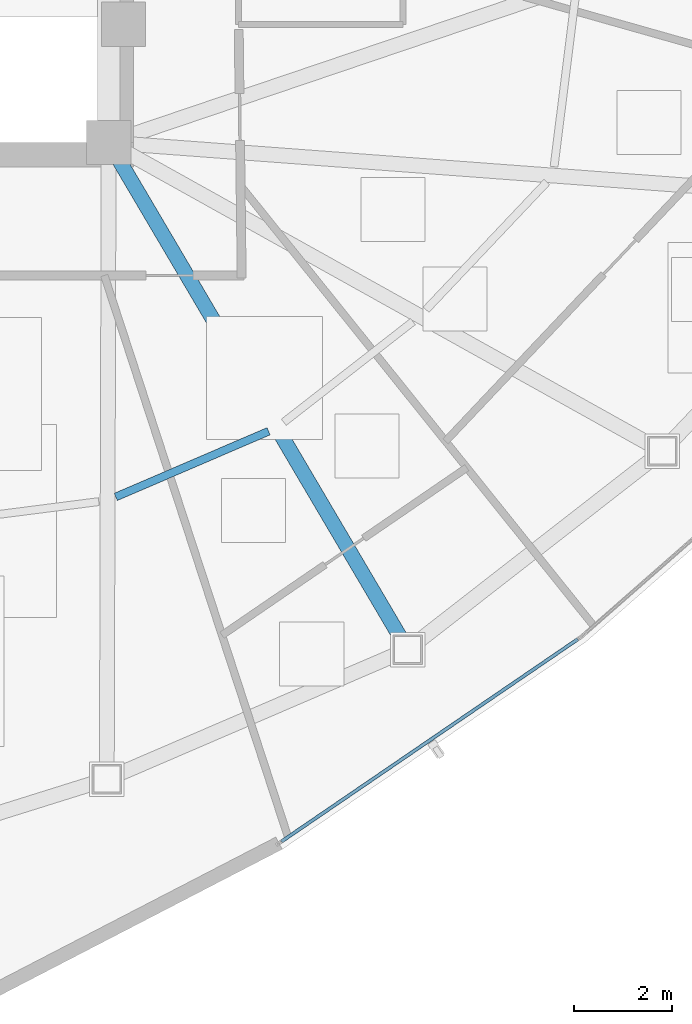
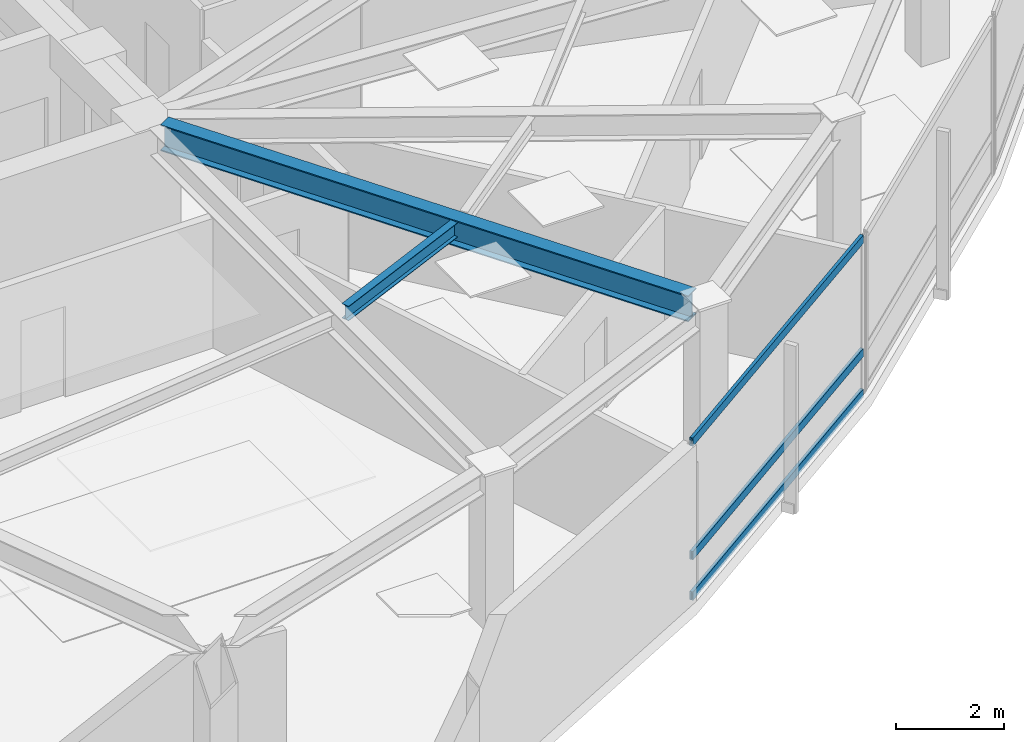
# One storey, part 3 of 17: 3 members, 2 beams, 1 element without a shape of its own.
"""IFC4 building model written with IfcOpenShell, lengths in metres."""

from ifc_helpers import new_model, si_unit, direction, frame, origin, origin_2d, place, context, subcontext, project, spatial, hollow_rectangle, i_section, extrude, source, transform, mapped, material, layer, layer_set, material_profile, profile_set, type_object, type_shapes, element, aggregate, save


model = new_model("IFC4")

# Units and contexts
model_context = context("Model", 3, precision=1e-05, world=origin(), true_north=direction((0.0, 1.0)))
body_context = subcontext(model_context, "Body", "Model", "MODEL_VIEW")
ifc_project = project(units=[si_unit("LENGTHUNIT", "METRE"), si_unit("AREAUNIT", "SQUARE_METRE"), si_unit("VOLUMEUNIT", "CUBIC_METRE"), si_unit("PLANEANGLEUNIT", "RADIAN"), si_unit("MASSUNIT", "GRAM", prefix="KILO")], contexts=[model_context])

# Site, building, storey
site_placement = place(None, origin())
site = spatial("IfcSite", under=ifc_project, at=site_placement, CompositionType="ELEMENT")
building_placement = place(site_placement, origin())
building = spatial("IfcBuilding", under=site, at=building_placement, Name="Tavelor Broadcast Tower", CompositionType="ELEMENT")
storey_placement = place(building_placement, frame((0.0, 0.0, 192.60009765625)))
storey = spatial("IfcBuildingStorey", under=building, at=storey_placement, Name="L46", CompositionType="ELEMENT", Elevation=192.60009765625)

# Beams
ifc_material_1 = material(Name="Steel S355", Category="steel")
ifc_material_profile_1 = material_profile(ifc_material_1, i_section(OverallWidth=0.159912109375, OverallDepth=0.330078125, WebThickness=0.007568359375, FlangeThickness=0.011474609375, at=origin_2d()), Name="IPE 330")
ifc_profile_set_1 = profile_set([ifc_material_profile_1], Name="Steel S355")
beam_type_1 = type_object("IfcBeamType", Name="Composite Floor Joist T4 IPE 330", PredefinedType="JOIST", material=ifc_profile_set_1)
beam_1_placement = place(storey_placement, frame((56.744384765625, 31.603515625, 3.385009765625), z_axis=(0.918692008618, 0.394974674254, 0.0), x_axis=(-0.394974674254, 0.918692008618, 0.0)))
element("IfcBeam", 1, at=beam_1_placement, inside=storey, type_object=beam_type_1, Name="L46 Secondary Composite Floor Joist 09", PredefinedType="JOIST", context=body_context, shape_type="SweptSolid", body=[
    extrude(i_section(OverallWidth=0.159912109375, OverallDepth=0.330078125, WebThickness=0.007568359375, FlangeThickness=0.011474609375, at=origin_2d()), origin(), (0.0, 0.0, 1.0), 3.37744140625),
])
ifc_material_profile_2 = material_profile(ifc_material_1, i_section(OverallWidth=0.300048828125, OverallDepth=0.590087890625, WebThickness=0.012939453125, FlangeThickness=0.02490234375, at=origin_2d()), Name="HEA 600")
ifc_profile_set_2 = profile_set([ifc_material_profile_2], Name="Steel S355")
beam_type_2 = type_object("IfcBeamType", Name="Radial Floor Girder T4 HEA 600", PredefinedType="BEAM", material=ifc_profile_set_2)
beam_2_placement = place(storey_placement, frame((56.8193359375, 38.427734375, 3.2548828125), z_axis=(0.50778362975, -0.861484640233, 0.0), x_axis=(0.861484640233, 0.50778362975, 0.0)))
element("IfcBeam", 2, at=beam_2_placement, inside=storey, type_object=beam_type_2, Name="L46 Radial Primary Floor Girder 10", PredefinedType="BEAM", context=body_context, shape_type="SweptSolid", body=[
    extrude(i_section(OverallWidth=0.300048828125, OverallDepth=0.590087890625, WebThickness=0.012939453125, FlangeThickness=0.02490234375, at=origin_2d()), origin(), (0.0, 0.0, 1.0), 11.232421875),
])

# Curtain wall, members
ifc_material_2 = material(Name="Architectural Anodized Aluminium", Category="aluminium")
ifc_layer = layer(ifc_material_2, 0.18994140625)
ifc_layer_set = layer_set([ifc_layer], Name="Architectural Anodized Aluminium")
curtain_wall_type = type_object("IfcCurtainWallType", Name="Tower Mid-Zone Acoustic Curtain Wall CW03", PredefinedType="NOTDEFINED", material=ifc_layer_set)
curtain_wall_placement = place(storey_placement, origin())
curtain_wall = element("IfcCurtainWall", 3, at=curtain_wall_placement, inside=storey, type_object=curtain_wall_type, Name="L46 Curtain Wall CW03 Run 497", PredefinedType="NOTDEFINED")
ifc_material_profile_3 = material_profile(ifc_material_2, hollow_rectangle(XDim=0.068115234375, YDim=0.18994140625, WallThickness=0.02197265625, at=origin_2d()), Name="RHS 68x190x22")
ifc_profile_set_3 = profile_set([ifc_material_profile_3], Name="Architectural Anodized Aluminium")
member_type = type_object("IfcMemberType", Name="CW03 Extruded Aluminium Transom 68x190", PredefinedType="USERDEFINED", material=ifc_profile_set_3)
shared_shape = source(origin(), body_context, "Body", "SweptSolid", [
    extrude(hollow_rectangle(XDim=0.068115234375, YDim=0.18994140625, WallThickness=0.02197265625, at=origin_2d()), origin(), (0.0, 0.0, 1.0), 7.28564453125),
])
type_shapes(member_type, [shared_shape])
member_1_placement = place(storey_placement, frame((60.110107421875, 24.60693359375, 0.033935546875), z_axis=(0.825859215911, 0.563876365434, 0.0), x_axis=(-0.563876365434, 0.825859215911, 0.0)))
member_1 = element("IfcMember", 4, at=member_1_placement, type_object=member_type, Name="CW03 transom 1.1", ObjectType="TRANSOM", PredefinedType="USERDEFINED", context=body_context, shape_type="MappedRepresentation", body=[
    mapped(shared_shape, transform((0.0, 0.0, 0.0), scale=1.0)),
])
member_2_placement = place(storey_placement, frame((60.110107421875, 24.60693359375, 0.949951171875), z_axis=(0.825859215911, 0.563876365434, 0.0), x_axis=(-0.563876365434, 0.825859215911, 0.0)))
member_2 = element("IfcMember", 5, at=member_2_placement, type_object=member_type, Name="CW03 transom 1.2", ObjectType="TRANSOM", PredefinedType="USERDEFINED", context=body_context, shape_type="MappedRepresentation", body=[
    mapped(shared_shape, transform((0.0, 0.0, 0.0), scale=1.0)),
])
member_3_placement = place(storey_placement, frame((60.110107421875, 24.60693359375, 3.515869140625), z_axis=(0.825859215911, 0.563876365434, 0.0), x_axis=(-0.563876365434, 0.825859215911, 0.0)))
member_3 = element("IfcMember", 6, at=member_3_placement, type_object=member_type, Name="CW03 transom 1.3", ObjectType="TRANSOM", PredefinedType="USERDEFINED", context=body_context, shape_type="MappedRepresentation", body=[
    mapped(shared_shape, transform((0.0, 0.0, 0.0), scale=1.0)),
])
aggregate(curtain_wall, [member_1, member_2, member_3])

save(model, "model.ifc")
